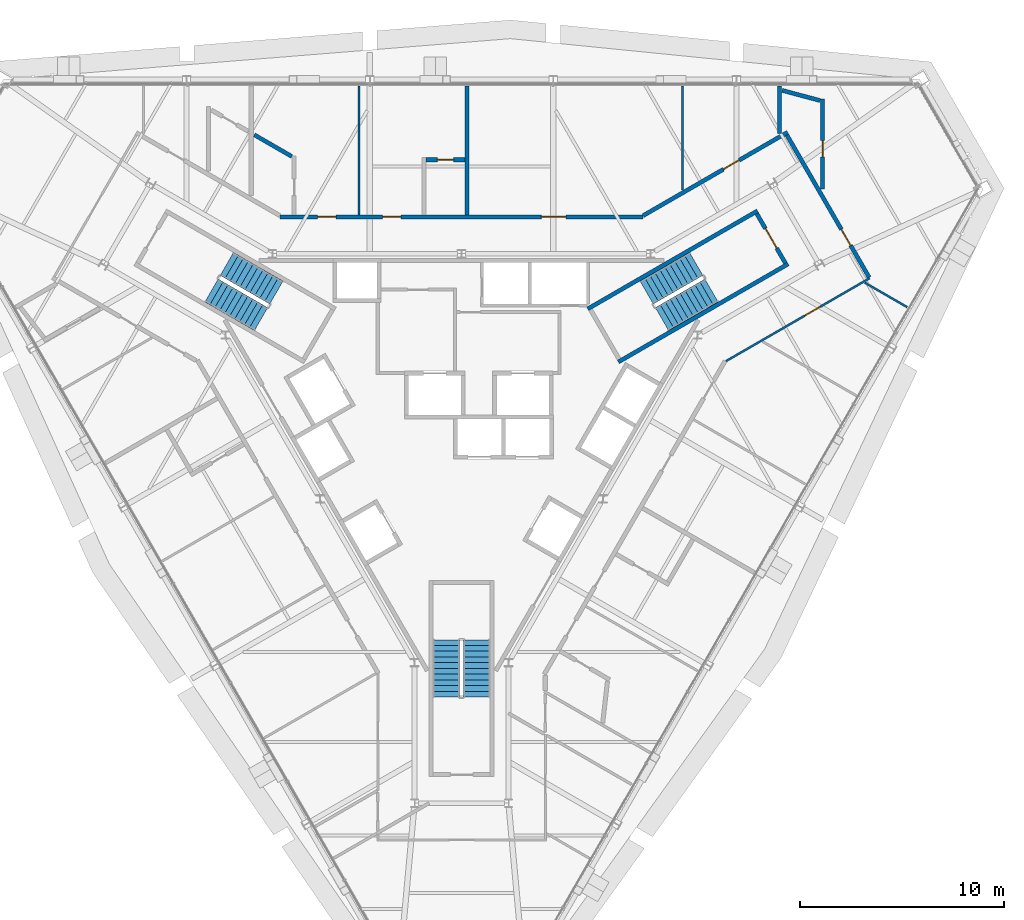
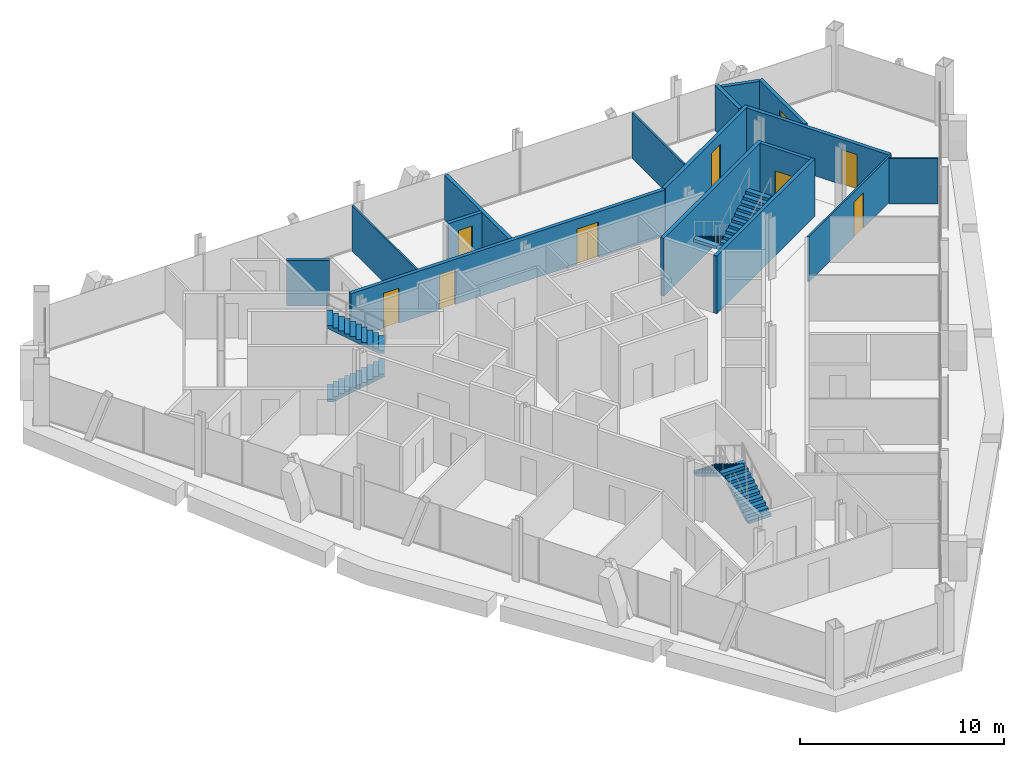
# One storey, part 14 of 16: 16 walls, 9 doors, 6 stair flights, 9 openings, 3 elements without a shape of their own.
"""IFC4 building model written with IfcOpenShell, lengths in metres."""

from ifc_helpers import new_model, si_unit, direction, frame, frame_2d, origin, place, context, subcontext, project, spatial, polyline, rectangle, outline, extrude, material, layer, layer_set, type_object, element, fill, aggregate, save


model = new_model("IFC4")

# Units and contexts
model_context = context("Model", 3, precision=1e-05, world=origin(), true_north=direction((0.0, 1.0)))
body_context = subcontext(model_context, "Body", "Model", "MODEL_VIEW")
ifc_project = project(units=[si_unit("LENGTHUNIT", "METRE"), si_unit("AREAUNIT", "SQUARE_METRE"), si_unit("VOLUMEUNIT", "CUBIC_METRE"), si_unit("PLANEANGLEUNIT", "RADIAN"), si_unit("MASSUNIT", "GRAM", prefix="KILO")], contexts=[model_context])

# Site, building, storey
site_placement = place(None, origin())
site = spatial("IfcSite", under=ifc_project, at=site_placement, CompositionType="ELEMENT")
building_placement = place(site_placement, origin())
building = spatial("IfcBuilding", under=site, at=building_placement, Name="Verrane Prism Tower", CompositionType="ELEMENT")
storey_placement = place(building_placement, frame((0.0, 0.0, 239.699951171875)))
storey = spatial("IfcBuildingStorey", under=building, at=storey_placement, Name="L60", CompositionType="ELEMENT", Elevation=239.699951171875)

# Wall, opening, door
ifc_material_1 = material(Name="Concrete C40/50", Category="concrete")
ifc_layer_1 = layer(ifc_material_1, 0.199951171875)
ifc_layer_set_1 = layer_set([ifc_layer_1], Name="CW-200 stair core wall concrete C40/50 3 h")
wall_type_1 = type_object("IfcWallType", Name="CW-200 stair core wall concrete C40/50 3 h", PredefinedType="PARTITIONING", material=ifc_layer_set_1)
wall_1_placement = place(storey_placement, frame((15.85546875, 7.53759765625, 0.0), z_axis=(0.0, 0.0, 1.0), x_axis=(-0.500049511043, 0.865996816683, 0.0)))
wall_1 = element("IfcWall", 1, at=wall_1_placement, inside=storey, type_object=wall_type_1, Name="Stair 1 enclosure wall", PredefinedType="PARTITIONING", context=body_context, shape_type="SweptSolid", body=[
    extrude(rectangle(XDim=2.800048828125, YDim=0.199951171875, at=frame_2d((1.39990234375, 0.0))), origin(), (0.0, 0.0, 1.0), 3.449951171875),
])
opening_1_placement = place(wall_1_placement, frame((0.849853515625, 0.0, 0.0)))
opening_1 = element("IfcOpeningElement", 2, at=opening_1_placement, cuts=wall_1, Name="Opening D59500", PredefinedType="OPENING", context=body_context, shape_type="SweptSolid", body=[
    extrude(rectangle(XDim=1.10009765625, YDim=2.10009765625, at=frame_2d((0.550048828125, 1.050048828125))), frame((0.0, 0.10986328125, 0.0), z_axis=(0.0, -1.0, 0.0), x_axis=(1.0, 0.0, 0.0)), (0.0, 0.0, 1.0), 0.219970703125),
])
ifc_material_2 = material(Name="Timber veneered door leaf", Category="wood")
door_type_1 = type_object("IfcDoorType", Name="DR-1100x2100 FD90 single leaf stair", OperationType="NOTDEFINED", PredefinedType="DOOR", material=ifc_material_2)
door_1_placement = place(opening_1_placement, origin())
door_1 = element("IfcDoor", 3, at=door_1_placement, inside=storey, type_object=door_type_1, Name="Stair 1 door", OperationType="SINGLE_SWING_LEFT", OverallHeight=2.10009765625, OverallWidth=1.10009765625, PredefinedType="DOOR", context=body_context, shape_type="SweptSolid", body=[
    extrude(rectangle(XDim=1.10009765625, YDim=2.10009765625, at=frame_2d((0.550048828125, 1.050048828125))), frame((0.0, 0.02490234375, 0.0), z_axis=(0.0, -1.0, 0.0), x_axis=(1.0, 0.0, 0.0)), (0.0, 0.0, 1.0), 0.050048828125),
])
fill(opening_1, door_1)

# Walls
for number, where, z_axis, x_axis, name in (
    (4, (6.17822265625, 5.299072265625, 0.0), (0.0, 0.0, 1.0), (0.866019993635, 0.500009370536, 0.0), "Stair 1 enclosure wall"),
    (5, (7.67822265625, 2.700927734375, 0.0), (0.0, 0.0, 1.0), (0.866019993635, 0.500009370536, 0.0), "Stair 1 enclosure wall"),
):
    element("IfcWall", number, at=place(storey_placement, frame(where, z_axis=z_axis, x_axis=x_axis)), inside=storey, type_object=wall_type_1, Name=name, PredefinedType="PARTITIONING", context=body_context, shape_type="SweptSolid", body=[
        extrude(rectangle(XDim=9.599853515625, YDim=0.199951171875, at=frame_2d((4.7998046875, 0.0))), origin(), (0.0, 0.0, 1.0), 3.449951171875),
    ])
ifc_material_3 = material(Name="Gypsum board partition", Category="other")
ifc_layer_2 = layer(ifc_material_3, 0.10009765625)
ifc_layer_set_2 = layer_set([ifc_layer_2], Name="PW-100 room partition")
wall_type_2 = type_object("IfcWallType", Name="PW-100 room partition", PredefinedType="PARTITIONING", material=ifc_layer_set_2)
wall_2_placement = place(storey_placement, frame((-5.014892578125, 9.89990234375, 0.0), z_axis=(0.0, 0.0, 1.0), x_axis=(0.0, 1.0, 0.0)))
element("IfcWall", 6, at=wall_2_placement, inside=storey, type_object=wall_type_2, Name="Room partition 024", PredefinedType="PARTITIONING", context=body_context, shape_type="SweptSolid", body=[
    extrude(rectangle(XDim=6.30615234375, YDim=0.10009765625, at=frame_2d((3.153076171875, 0.0))), origin(), (0.0, 0.0, 1.0), 2.713134765625),
])
wall_3_placement = place(storey_placement, frame((10.822021484375, 11.124267578125, 0.0), z_axis=(0.0, 0.0, 1.0), x_axis=(0.0, 1.0, 0.0)))
element("IfcWall", 7, at=wall_3_placement, inside=storey, type_object=wall_type_2, Name="Room partition 048", PredefinedType="PARTITIONING", context=body_context, shape_type="SweptSolid", body=[
    extrude(rectangle(XDim=5.081787109375, YDim=0.10009765625, at=frame_2d((2.541015625, 0.0))), origin(), (0.0, 0.0, 1.0), 2.713134765625),
])

# Wall, opening, door
wall_4_placement = place(storey_placement, frame((19.97998046875, 6.801025390625, 0.0), z_axis=(0.0, 0.0, 1.0), x_axis=(-0.866087400697, -0.49989260282, 0.0)))
wall_4 = element("IfcWall", 8, at=wall_4_placement, inside=storey, type_object=wall_type_2, Name="Room partition 050", PredefinedType="PARTITIONING", context=body_context, shape_type="SweptSolid", body=[
    extrude(rectangle(XDim=8.114990234375, YDim=0.10009765625, at=frame_2d((4.0576171875, 0.0))), origin(), (0.0, 0.0, 1.0), 2.713134765625),
])
opening_2_placement = place(wall_4_placement, frame((2.777099609375, 0.0, 0.0)))
opening_2 = element("IfcOpeningElement", 9, at=opening_2_placement, cuts=wall_4, Name="Opening D59028", PredefinedType="OPENING", context=body_context, shape_type="SweptSolid", body=[
    extrude(rectangle(XDim=0.89990234375, YDim=2.10009765625, at=frame_2d((0.449951171875, 1.050048828125))), frame((0.0, 0.06005859375, 0.0), z_axis=(0.0, -1.0, 0.0), x_axis=(1.0, 0.0, 0.0)), (0.0, 0.0, 1.0), 0.1201171875),
])
ifc_material_4 = material(Name="Timber veneered door leaf", Category="wood")
door_type_2 = type_object("IfcDoorType", Name="DR-900x2100 single leaf unit", OperationType="NOTDEFINED", PredefinedType="DOOR", material=ifc_material_4)
door_2_placement = place(opening_2_placement, origin())
door_2 = element("IfcDoor", 10, at=door_2_placement, inside=storey, type_object=door_type_2, Name="Study door", OperationType="SINGLE_SWING_LEFT", OverallHeight=2.10009765625, OverallWidth=0.89990234375, PredefinedType="DOOR", context=body_context, shape_type="SweptSolid", body=[
    extrude(rectangle(XDim=0.89990234375, YDim=2.10009765625, at=frame_2d((0.449951171875, 1.050048828125))), frame((0.0, 0.02490234375, 0.0), z_axis=(0.0, -1.0, 0.0), x_axis=(1.0, 0.0, 0.0)), (0.0, 0.0, 1.0), 0.050048828125),
])
fill(opening_2, door_2)

# Walls
wall_5_placement = place(storey_placement, frame((19.7470703125, 6.580810546875, 0.0), z_axis=(0.0, 0.0, 1.0), x_axis=(0.866139751882, -0.499801890962, 0.0)))
element("IfcWall", 11, at=wall_5_placement, inside=storey, type_object=wall_type_2, Name="Room partition 056", PredefinedType="PARTITIONING", context=body_context, shape_type="SweptSolid", body=[
    extrude(rectangle(XDim=2.39453125, YDim=0.10009765625, at=frame_2d((1.197265625, 0.0))), origin(), (0.0, 0.0, 1.0), 2.713134765625),
])
ifc_material_5 = material(Name="Gypsum board partition", Category="other")
ifc_layer_3 = layer(ifc_material_5, 0.199951171875)
ifc_layer_set_3 = layer_set([ifc_layer_3], Name="PW-200 plumbing wall")
wall_type_3 = type_object("IfcWallType", Name="PW-200 plumbing wall", PredefinedType="PARTITIONING", material=ifc_layer_set_3)
wall_6_placement = place(storey_placement, frame((-10.14404296875, 13.821533203125, 0.0), z_axis=(0.0, 0.0, 1.0), x_axis=(0.866062654302, -0.49993547466, 0.0)))
element("IfcWall", 12, at=wall_6_placement, inside=storey, type_object=wall_type_3, Name="Plumbing wall 018", PredefinedType="PARTITIONING", context=body_context, shape_type="SweptSolid", body=[
    extrude(rectangle(XDim=2.116455078125, YDim=0.199951171875, at=frame_2d((1.05810546875, 0.0))), origin(), (0.0, 0.0, 1.0), 2.713134765625),
])

# Wall, openings, doors
wall_7_placement = place(storey_placement, frame((-8.8779296875, 9.800048828125, 0.0), z_axis=(0.0, 0.0, 1.0), x_axis=(1.0, 0.0, 0.0)))
wall_7 = element("IfcWall", 13, at=wall_7_placement, inside=storey, type_object=wall_type_3, Name="Plumbing wall 020", PredefinedType="PARTITIONING", context=body_context, shape_type="SweptSolid", body=[
    extrude(rectangle(XDim=17.755859375, YDim=0.199951171875, at=frame_2d((8.8779296875, 0.0))), origin(), (0.0, 0.0, 1.0), 2.713134765625),
])
opening_3_placement = place(wall_7_placement, frame((12.7919921875, 0.0, 0.0)))
opening_3 = element("IfcOpeningElement", 14, at=opening_3_placement, cuts=wall_7, Name="Opening D59004", PredefinedType="OPENING", context=body_context, shape_type="SweptSolid", body=[
    extrude(rectangle(XDim=1.199951171875, YDim=2.10009765625, at=frame_2d((0.60009765625, 1.050048828125))), frame((0.0, 0.10986328125, 0.0), z_axis=(0.0, -1.0, 0.0), x_axis=(1.0, 0.0, 0.0)), (0.0, 0.0, 1.0), 0.219970703125),
])
opening_4_placement = place(wall_7_placement, frame((5.012939453125, 0.0, 0.0)))
opening_4 = element("IfcOpeningElement", 15, at=opening_4_placement, cuts=wall_7, Name="Opening D59005", PredefinedType="OPENING", context=body_context, shape_type="SweptSolid", body=[
    extrude(rectangle(XDim=0.89990234375, YDim=2.10009765625, at=frame_2d((0.449951171875, 1.050048828125))), frame((0.0, 0.10986328125, 0.0), z_axis=(0.0, -1.0, 0.0), x_axis=(1.0, 0.0, 0.0)), (0.0, 0.0, 1.0), 0.219970703125),
])
opening_5_placement = place(wall_7_placement, frame((1.833984375, 0.0, 0.0)))
opening_5 = element("IfcOpeningElement", 16, at=opening_5_placement, cuts=wall_7, Name="Opening D59007", PredefinedType="OPENING", context=body_context, shape_type="SweptSolid", body=[
    extrude(rectangle(XDim=0.89990234375, YDim=2.10009765625, at=frame_2d((0.449951171875, 1.050048828125))), frame((0.0, 0.10986328125, 0.0), z_axis=(0.0, -1.0, 0.0), x_axis=(1.0, 0.0, 0.0)), (0.0, 0.0, 1.0), 0.219970703125),
])
ifc_material_6 = material(Name="Timber veneered door leaf", Category="wood")
door_type_3 = type_object("IfcDoorType", Name="DR-1200x2100 single leaf unit", OperationType="NOTDEFINED", PredefinedType="DOOR", material=ifc_material_6)
door_3_placement = place(opening_3_placement, origin())
door_3 = element("IfcDoor", 17, at=door_3_placement, inside=storey, type_object=door_type_3, Name="Living And Dining Room door", OperationType="SINGLE_SWING_RIGHT", OverallHeight=2.10009765625, OverallWidth=1.199951171875, PredefinedType="DOOR", context=body_context, shape_type="SweptSolid", body=[
    extrude(rectangle(XDim=1.199951171875, YDim=2.10009765625, at=frame_2d((0.60009765625, 1.050048828125))), frame((0.0, 0.02490234375, 0.0), z_axis=(0.0, -1.0, 0.0), x_axis=(1.0, 0.0, 0.0)), (0.0, 0.0, 1.0), 0.050048828125),
])
fill(opening_3, door_3)
ifc_material_7 = material(Name="Timber veneered door leaf", Category="wood")
door_type_4 = type_object("IfcDoorType", Name="DR-900x2100 single leaf inner", OperationType="NOTDEFINED", PredefinedType="DOOR", material=ifc_material_7)
door_4_placement = place(opening_4_placement, origin())
door_4 = element("IfcDoor", 18, at=door_4_placement, inside=storey, type_object=door_type_4, Name="Bedroom door", OperationType="SINGLE_SWING_LEFT", OverallHeight=2.10009765625, OverallWidth=0.89990234375, PredefinedType="DOOR", context=body_context, shape_type="SweptSolid", body=[
    extrude(rectangle(XDim=0.89990234375, YDim=2.10009765625, at=frame_2d((0.449951171875, 1.050048828125))), frame((0.0, 0.02490234375, 0.0), z_axis=(0.0, -1.0, 0.0), x_axis=(1.0, 0.0, 0.0)), (0.0, 0.0, 1.0), 0.050048828125),
])
fill(opening_4, door_4)
door_5_placement = place(opening_5_placement, origin())
door_5 = element("IfcDoor", 19, at=door_5_placement, inside=storey, type_object=door_type_4, Name="Bedroom door", OperationType="SINGLE_SWING_LEFT", OverallHeight=2.10009765625, OverallWidth=0.89990234375, PredefinedType="DOOR", context=body_context, shape_type="SweptSolid", body=[
    extrude(rectangle(XDim=0.89990234375, YDim=2.10009765625, at=frame_2d((0.449951171875, 1.050048828125))), frame((0.0, 0.02490234375, 0.0), z_axis=(0.0, -1.0, 0.0), x_axis=(1.0, 0.0, 0.0)), (0.0, 0.0, 1.0), 0.050048828125),
])
fill(opening_5, door_5)

# Wall, opening, door
wall_8_placement = place(storey_placement, frame((0.1640625, 12.60009765625, 0.0), z_axis=(0.0, 0.0, 1.0), x_axis=(-1.0, 0.0, 0.0)))
wall_8 = element("IfcWall", 20, at=wall_8_placement, inside=storey, type_object=wall_type_3, Name="Plumbing wall 031", PredefinedType="PARTITIONING", context=body_context, shape_type="SweptSolid", body=[
    extrude(rectangle(XDim=1.900146484375, YDim=0.199951171875, at=frame_2d((0.9501953125, 0.0))), origin(), (0.0, 0.0, 1.0), 2.713134765625),
])
opening_6_placement = place(wall_8_placement, frame((0.550048828125, 0.0, 0.0)))
opening_6 = element("IfcOpeningElement", 21, at=opening_6_placement, cuts=wall_8, Name="Opening D59006", PredefinedType="OPENING", context=body_context, shape_type="SweptSolid", body=[
    extrude(rectangle(XDim=0.800048828125, YDim=2.10009765625, at=frame_2d((0.39990234375, 1.050048828125))), frame((0.0, 0.10986328125, 0.0), z_axis=(0.0, -1.0, 0.0), x_axis=(1.0, 0.0, 0.0)), (0.0, 0.0, 1.0), 0.219970703125),
])
ifc_material_8 = material(Name="Timber veneered door leaf", Category="wood")
door_type_5 = type_object("IfcDoorType", Name="DR-800x2100 single leaf bath", OperationType="NOTDEFINED", PredefinedType="DOOR", material=ifc_material_8)
door_6_placement = place(opening_6_placement, origin())
door_6 = element("IfcDoor", 22, at=door_6_placement, inside=storey, type_object=door_type_5, Name="Bathroom door", OperationType="SINGLE_SWING_LEFT", OverallHeight=2.10009765625, OverallWidth=0.800048828125, PredefinedType="DOOR", context=body_context, shape_type="SweptSolid", body=[
    extrude(rectangle(XDim=0.800048828125, YDim=2.10009765625, at=frame_2d((0.39990234375, 1.050048828125))), frame((0.0, 0.02490234375, 0.0), z_axis=(0.0, -1.0, 0.0), x_axis=(1.0, 0.0, 0.0)), (0.0, 0.0, 1.0), 0.050048828125),
])
fill(opening_6, door_6)

# Wall
wall_9_placement = place(storey_placement, frame((0.263916015625, 9.89990234375, 0.0), z_axis=(0.0, 0.0, 1.0), x_axis=(0.0, 1.0, 0.0)))
element("IfcWall", 23, at=wall_9_placement, inside=storey, type_object=wall_type_3, Name="Plumbing wall 032", PredefinedType="PARTITIONING", context=body_context, shape_type="SweptSolid", body=[
    extrude(rectangle(XDim=6.30615234375, YDim=0.199951171875, at=frame_2d((3.153076171875, 0.0))), origin(), (0.0, 0.0, 1.0), 2.713134765625),
])

# Wall, opening, door
wall_10_placement = place(storey_placement, frame((8.89501953125, 9.867431640625, 0.0), z_axis=(0.0, 0.0, 1.0), x_axis=(0.866081499088, 0.499902827495, 0.0)))
wall_10 = element("IfcWall", 24, at=wall_10_placement, inside=storey, type_object=wall_type_3, Name="Plumbing wall 046", PredefinedType="PARTITIONING", context=body_context, shape_type="SweptSolid", body=[
    extrude(rectangle(XDim=8.16259765625, YDim=0.199951171875, at=frame_2d((4.081298828125, 0.0))), origin(), (0.0, 0.0, 1.0), 2.713134765625),
])
opening_7_placement = place(wall_10_placement, frame((4.52490234375, 0.0, 0.0)))
opening_7 = element("IfcOpeningElement", 25, at=opening_7_placement, cuts=wall_10, Name="Opening D59003", PredefinedType="OPENING", context=body_context, shape_type="SweptSolid", body=[
    extrude(rectangle(XDim=0.89990234375, YDim=2.10009765625, at=frame_2d((0.449951171875, 1.050048828125))), frame((0.0, 0.10986328125, 0.0), z_axis=(0.0, -1.0, 0.0), x_axis=(1.0, 0.0, 0.0)), (0.0, 0.0, 1.0), 0.219970703125),
])
door_7_placement = place(opening_7_placement, origin())
door_7 = element("IfcDoor", 26, at=door_7_placement, inside=storey, type_object=door_type_2, Name="Kitchen door", OperationType="SINGLE_SWING_LEFT", OverallHeight=2.10009765625, OverallWidth=0.89990234375, PredefinedType="DOOR", context=body_context, shape_type="SweptSolid", body=[
    extrude(rectangle(XDim=0.89990234375, YDim=2.10009765625, at=frame_2d((0.449951171875, 1.050048828125))), frame((0.0, 0.02490234375, 0.0), z_axis=(0.0, -1.0, 0.0), x_axis=(1.0, 0.0, 0.0)), (0.0, 0.0, 1.0), 0.050048828125),
])
fill(opening_7, door_7)

# Walls
wall_11_placement = place(storey_placement, frame((15.572998046875, 13.895263671875, 0.0), z_axis=(0.0, 0.0, 1.0), x_axis=(0.0, 1.0, 0.0)))
element("IfcWall", 27, at=wall_11_placement, inside=storey, type_object=wall_type_3, Name="Plumbing wall 052", PredefinedType="PARTITIONING", context=body_context, shape_type="SweptSolid", body=[
    extrude(rectangle(XDim=2.310791015625, YDim=0.199951171875, at=frame_2d((1.1552734375, 0.0))), origin(), (0.0, 0.0, 1.0), 2.713134765625),
])
wall_12_placement = place(storey_placement, frame((15.69873046875, 15.996337890625, 0.0), z_axis=(0.0, 0.0, 1.0), x_axis=(0.96599800534, -0.258549518816, 0.0)))
element("IfcWall", 28, at=wall_12_placement, inside=storey, type_object=wall_type_3, Name="Plumbing wall 053", PredefinedType="PARTITIONING", context=body_context, shape_type="SweptSolid", body=[
    extrude(rectangle(XDim=1.918701171875, YDim=0.199951171875, at=frame_2d((0.95947265625, 0.0))), origin(), (0.0, 0.0, 1.0), 2.713134765625),
])

# Wall, opening, door
wall_13_placement = place(storey_placement, frame((15.927978515625, 13.8115234375, 0.0), z_axis=(0.0, 0.0, 1.0), x_axis=(0.500422653123, -0.865781247337, 0.0)))
wall_13 = element("IfcWall", 29, at=wall_13_placement, inside=storey, type_object=wall_type_3, Name="Plumbing wall 054", PredefinedType="PARTITIONING", context=body_context, shape_type="SweptSolid", body=[
    extrude(rectangle(XDim=8.04736328125, YDim=0.199951171875, at=frame_2d((4.023681640625, 0.0))), origin(), (0.0, 0.0, 1.0), 2.713134765625),
])
opening_8_placement = place(wall_13_placement, frame((5.3369140625, 0.0, 0.0)))
opening_8 = element("IfcOpeningElement", 30, at=opening_8_placement, cuts=wall_13, Name="Opening D59001", PredefinedType="OPENING", context=body_context, shape_type="SweptSolid", body=[
    extrude(rectangle(XDim=0.89990234375, YDim=2.10009765625, at=frame_2d((0.449951171875, 1.050048828125))), frame((0.0, 0.10986328125, 0.0), z_axis=(0.0, -1.0, 0.0), x_axis=(1.0, 0.0, 0.0)), (0.0, 0.0, 1.0), 0.219970703125),
])
door_8_placement = place(opening_8_placement, origin())
door_8 = element("IfcDoor", 31, at=door_8_placement, inside=storey, type_object=door_type_4, Name="Bedroom door", OperationType="SINGLE_SWING_LEFT", OverallHeight=2.10009765625, OverallWidth=0.89990234375, PredefinedType="DOOR", context=body_context, shape_type="SweptSolid", body=[
    extrude(rectangle(XDim=0.89990234375, YDim=2.10009765625, at=frame_2d((0.449951171875, 1.050048828125))), frame((0.0, 0.02490234375, 0.0), z_axis=(0.0, -1.0, 0.0), x_axis=(1.0, 0.0, 0.0)), (0.0, 0.0, 1.0), 0.050048828125),
])
fill(opening_8, door_8)

wall_14_placement = place(storey_placement, frame((17.673095703125, 11.165771484375, 0.0), z_axis=(0.0, 0.0, 1.0), x_axis=(0.0, 1.0, 0.0)))
wall_14 = element("IfcWall", 32, at=wall_14_placement, inside=storey, type_object=wall_type_3, Name="Plumbing wall 055", PredefinedType="PARTITIONING", context=body_context, shape_type="SweptSolid", body=[
    extrude(rectangle(XDim=4.40234375, YDim=0.199951171875, at=frame_2d((2.201171875, 0.0))), origin(), (0.0, 0.0, 1.0), 2.713134765625),
])
opening_9_placement = place(wall_14_placement, frame((1.5771484375, 0.0, 0.0)))
opening_9 = element("IfcOpeningElement", 33, at=opening_9_placement, cuts=wall_14, Name="Opening D59002", PredefinedType="OPENING", context=body_context, shape_type="SweptSolid", body=[
    extrude(rectangle(XDim=0.800048828125, YDim=2.10009765625, at=frame_2d((0.39990234375, 1.050048828125))), frame((0.0, 0.10986328125, 0.0), z_axis=(0.0, -1.0, 0.0), x_axis=(1.0, 0.0, 0.0)), (0.0, 0.0, 1.0), 0.219970703125),
])
door_9_placement = place(opening_9_placement, origin())
door_9 = element("IfcDoor", 34, at=door_9_placement, inside=storey, type_object=door_type_5, Name="Bathroom door", OperationType="SINGLE_SWING_RIGHT", OverallHeight=2.10009765625, OverallWidth=0.800048828125, PredefinedType="DOOR", context=body_context, shape_type="SweptSolid", body=[
    extrude(rectangle(XDim=0.800048828125, YDim=2.10009765625, at=frame_2d((0.39990234375, 1.050048828125))), frame((0.0, 0.02490234375, 0.0), z_axis=(0.0, -1.0, 0.0), x_axis=(1.0, 0.0, 0.0)), (0.0, 0.0, 1.0), 0.050048828125),
])
fill(opening_9, door_9)

# Stair, stair flights
ifc_material_9 = material(Name="Concrete C40/50", Category="concrete")
stair_type = type_object("IfcStairType", Name="Exit stair 1300 dog-leg precast concrete C40/50", PredefinedType="HALF_TURN_STAIR", material=ifc_material_9)
stair_1_placement = place(storey_placement, origin())
stair_1 = element("IfcStair", 35, at=stair_1_placement, inside=storey, type_object=stair_type, Name="Stair 1 L60", PredefinedType="HALF_TURN_STAIR")
ifc_material_10 = material(Name="Concrete C40/50", Category="concrete")
stair_flight_type = type_object("IfcStairFlightType", Name="Stair flight 1300 precast concrete C40/50", PredefinedType="STRAIGHT", material=ifc_material_10)
stair_flight_1_placement = place(storey_placement, frame((11.489501953125, 7.49951171875, 0.0), z_axis=(0.0, 0.0, 1.0), x_axis=(-0.866025403784, -0.5, 0.0)))
stair_flight_1 = element("IfcStairFlight", 36, at=stair_flight_1_placement, type_object=stair_flight_type, Name="Stair 1 flight 1", NumberOfRisers=11, NumberOfTreads=10, PredefinedType="STRAIGHT", RiserHeight=0.168181818, TreadLength=0.28, context=body_context, shape_type="SweptSolid", body=[
    extrude(outline(polyline([(0.0, 0.0), (0.0, 0.168212890625), (0.280029296875, 0.168212890625), (0.280029296875, 0.33642578125), (0.56005859375, 0.33642578125), (0.56005859375, 0.504638671875), (0.840087890625, 0.504638671875), (0.840087890625, 0.672607421875), (1.1201171875, 0.672607421875), (1.1201171875, 0.8408203125), (1.39990234375, 0.8408203125), (1.39990234375, 1.009033203125), (1.679931640625, 1.009033203125), (1.679931640625, 1.17724609375), (1.9599609375, 1.17724609375), (1.9599609375, 1.345458984375), (2.239990234375, 1.345458984375), (2.239990234375, 1.513671875), (2.52001953125, 1.513671875), (2.52001953125, 1.681884765625), (2.800048828125, 1.681884765625), (2.800048828125, 1.85009765625), (2.800048828125, 1.5068359375), (0.291015625, 0.0), (0.0, 0.0)])), frame((0.0, 0.64990234375, 0.0), z_axis=(0.0, -1.0, 0.0), x_axis=(1.0, 0.0, 0.0)), (0.0, 0.0, 1.0), 1.300048828125),
])
stair_flight_2_placement = place(storey_placement, frame((9.814697265625, 4.800537109375, 1.85009765625), z_axis=(0.0, 0.0, 1.0), x_axis=(0.866025403784, 0.5, 0.0)))
stair_flight_2 = element("IfcStairFlight", 37, at=stair_flight_2_placement, type_object=stair_flight_type, Name="Stair 1 flight 2", NumberOfRisers=11, NumberOfTreads=10, PredefinedType="STRAIGHT", RiserHeight=0.168181818, TreadLength=0.28, context=body_context, shape_type="SweptSolid", body=[
    extrude(outline(polyline([(0.0, 0.0), (0.0, 0.168212890625), (0.280029296875, 0.168212890625), (0.280029296875, 0.33642578125), (0.56005859375, 0.33642578125), (0.56005859375, 0.504638671875), (0.840087890625, 0.504638671875), (0.840087890625, 0.672607421875), (1.1201171875, 0.672607421875), (1.1201171875, 0.8408203125), (1.39990234375, 0.8408203125), (1.39990234375, 1.009033203125), (1.679931640625, 1.009033203125), (1.679931640625, 1.17724609375), (1.9599609375, 1.17724609375), (1.9599609375, 1.345458984375), (2.239990234375, 1.345458984375), (2.239990234375, 1.513671875), (2.52001953125, 1.513671875), (2.52001953125, 1.681884765625), (2.800048828125, 1.681884765625), (2.800048828125, 1.85009765625), (2.800048828125, 1.5068359375), (0.291015625, 0.0), (0.0, 0.0)])), frame((0.0, 0.64990234375, 0.0), z_axis=(0.0, -1.0, 0.0), x_axis=(1.0, 0.0, 0.0)), (0.0, 0.0, 1.0), 1.300048828125),
])
aggregate(stair_1, [stair_flight_1, stair_flight_2])

stair_2_placement = place(storey_placement, origin())
stair_2 = element("IfcStair", 38, at=stair_2_placement, inside=storey, type_object=stair_type, Name="Stair 2 L60", PredefinedType="HALF_TURN_STAIR")
stair_flight_3_placement = place(storey_placement, frame((-12.239501953125, 6.200439453125, 0.0), z_axis=(0.0, 0.0, 1.0), x_axis=(0.866025403784, -0.5, 0.0)))
stair_flight_3 = element("IfcStairFlight", 39, at=stair_flight_3_placement, type_object=stair_flight_type, Name="Stair 2 flight 1", NumberOfRisers=11, NumberOfTreads=10, PredefinedType="STRAIGHT", RiserHeight=0.168181818, TreadLength=0.28, context=body_context, shape_type="SweptSolid", body=[
    extrude(outline(polyline([(0.0, 0.0), (0.0, 0.168212890625), (0.280029296875, 0.168212890625), (0.280029296875, 0.33642578125), (0.56005859375, 0.33642578125), (0.56005859375, 0.504638671875), (0.840087890625, 0.504638671875), (0.840087890625, 0.672607421875), (1.1201171875, 0.672607421875), (1.1201171875, 0.8408203125), (1.39990234375, 0.8408203125), (1.39990234375, 1.009033203125), (1.679931640625, 1.009033203125), (1.679931640625, 1.17724609375), (1.9599609375, 1.17724609375), (1.9599609375, 1.345458984375), (2.239990234375, 1.345458984375), (2.239990234375, 1.513671875), (2.52001953125, 1.513671875), (2.52001953125, 1.681884765625), (2.800048828125, 1.681884765625), (2.800048828125, 1.85009765625), (2.800048828125, 1.5068359375), (0.291015625, 0.0), (0.0, 0.0)])), frame((0.0, 0.64990234375, 0.0), z_axis=(0.0, -1.0, 0.0), x_axis=(1.0, 0.0, 0.0)), (0.0, 0.0, 1.0), 1.300048828125),
])
stair_flight_4_placement = place(storey_placement, frame((-9.064697265625, 6.099609375, 1.85009765625), z_axis=(0.0, 0.0, 1.0), x_axis=(-0.866025403784, 0.5, 0.0)))
stair_flight_4 = element("IfcStairFlight", 40, at=stair_flight_4_placement, type_object=stair_flight_type, Name="Stair 2 flight 2", NumberOfRisers=11, NumberOfTreads=10, PredefinedType="STRAIGHT", RiserHeight=0.168181818, TreadLength=0.28, context=body_context, shape_type="SweptSolid", body=[
    extrude(outline(polyline([(0.0, 0.0), (0.0, 0.168212890625), (0.280029296875, 0.168212890625), (0.280029296875, 0.33642578125), (0.56005859375, 0.33642578125), (0.56005859375, 0.504638671875), (0.840087890625, 0.504638671875), (0.840087890625, 0.672607421875), (1.1201171875, 0.672607421875), (1.1201171875, 0.8408203125), (1.39990234375, 0.8408203125), (1.39990234375, 1.009033203125), (1.679931640625, 1.009033203125), (1.679931640625, 1.17724609375), (1.9599609375, 1.17724609375), (1.9599609375, 1.345458984375), (2.239990234375, 1.345458984375), (2.239990234375, 1.513671875), (2.52001953125, 1.513671875), (2.52001953125, 1.681884765625), (2.800048828125, 1.681884765625), (2.800048828125, 1.85009765625), (2.800048828125, 1.5068359375), (0.291015625, 0.0), (0.0, 0.0)])), frame((0.0, 0.64990234375, 0.0), z_axis=(0.0, -1.0, 0.0), x_axis=(1.0, 0.0, 0.0)), (0.0, 0.0, 1.0), 1.300048828125),
])
aggregate(stair_2, [stair_flight_3, stair_flight_4])

stair_3_placement = place(storey_placement, origin())
stair_3 = element("IfcStair", 41, at=stair_3_placement, inside=storey, type_object=stair_type, Name="Stair 3 L60", PredefinedType="HALF_TURN_STAIR")
stair_flight_5_placement = place(storey_placement, frame((0.75, -13.699951171875, 0.0), z_axis=(0.0, 0.0, 1.0), x_axis=(0.0, 1.0, 0.0)))
stair_flight_5 = element("IfcStairFlight", 42, at=stair_flight_5_placement, type_object=stair_flight_type, Name="Stair 3 flight 1", NumberOfRisers=11, NumberOfTreads=10, PredefinedType="STRAIGHT", RiserHeight=0.168181818, TreadLength=0.28, context=body_context, shape_type="SweptSolid", body=[
    extrude(outline(polyline([(0.0, 0.0), (0.0, 0.168212890625), (0.280029296875, 0.168212890625), (0.280029296875, 0.33642578125), (0.56005859375, 0.33642578125), (0.56005859375, 0.504638671875), (0.840087890625, 0.504638671875), (0.840087890625, 0.672607421875), (1.1201171875, 0.672607421875), (1.1201171875, 0.8408203125), (1.39990234375, 0.8408203125), (1.39990234375, 1.009033203125), (1.679931640625, 1.009033203125), (1.679931640625, 1.17724609375), (1.9599609375, 1.17724609375), (1.9599609375, 1.345458984375), (2.239990234375, 1.345458984375), (2.239990234375, 1.513671875), (2.52001953125, 1.513671875), (2.52001953125, 1.681884765625), (2.800048828125, 1.681884765625), (2.800048828125, 1.85009765625), (2.800048828125, 1.5068359375), (0.291015625, 0.0), (0.0, 0.0)])), frame((0.0, 0.64990234375, 0.0), z_axis=(0.0, -1.0, 0.0), x_axis=(1.0, 0.0, 0.0)), (0.0, 0.0, 1.0), 1.300048828125),
])
stair_flight_6_placement = place(storey_placement, frame((-0.75, -10.89990234375, 1.85009765625), z_axis=(0.0, 0.0, 1.0), x_axis=(0.0, -1.0, 0.0)))
stair_flight_6 = element("IfcStairFlight", 43, at=stair_flight_6_placement, type_object=stair_flight_type, Name="Stair 3 flight 2", NumberOfRisers=11, NumberOfTreads=10, PredefinedType="STRAIGHT", RiserHeight=0.168181818, TreadLength=0.28, context=body_context, shape_type="SweptSolid", body=[
    extrude(outline(polyline([(0.0, 0.0), (0.0, 0.168212890625), (0.280029296875, 0.168212890625), (0.280029296875, 0.33642578125), (0.56005859375, 0.33642578125), (0.56005859375, 0.504638671875), (0.840087890625, 0.504638671875), (0.840087890625, 0.672607421875), (1.1201171875, 0.672607421875), (1.1201171875, 0.8408203125), (1.39990234375, 0.8408203125), (1.39990234375, 1.009033203125), (1.679931640625, 1.009033203125), (1.679931640625, 1.17724609375), (1.9599609375, 1.17724609375), (1.9599609375, 1.345458984375), (2.239990234375, 1.345458984375), (2.239990234375, 1.513671875), (2.52001953125, 1.513671875), (2.52001953125, 1.681884765625), (2.800048828125, 1.681884765625), (2.800048828125, 1.85009765625), (2.800048828125, 1.5068359375), (0.291015625, 0.0), (0.0, 0.0)])), frame((0.0, 0.64990234375, 0.0), z_axis=(0.0, -1.0, 0.0), x_axis=(1.0, 0.0, 0.0)), (0.0, 0.0, 1.0), 1.300048828125),
])
aggregate(stair_3, [stair_flight_5, stair_flight_6])

save(model, "model.ifc")
